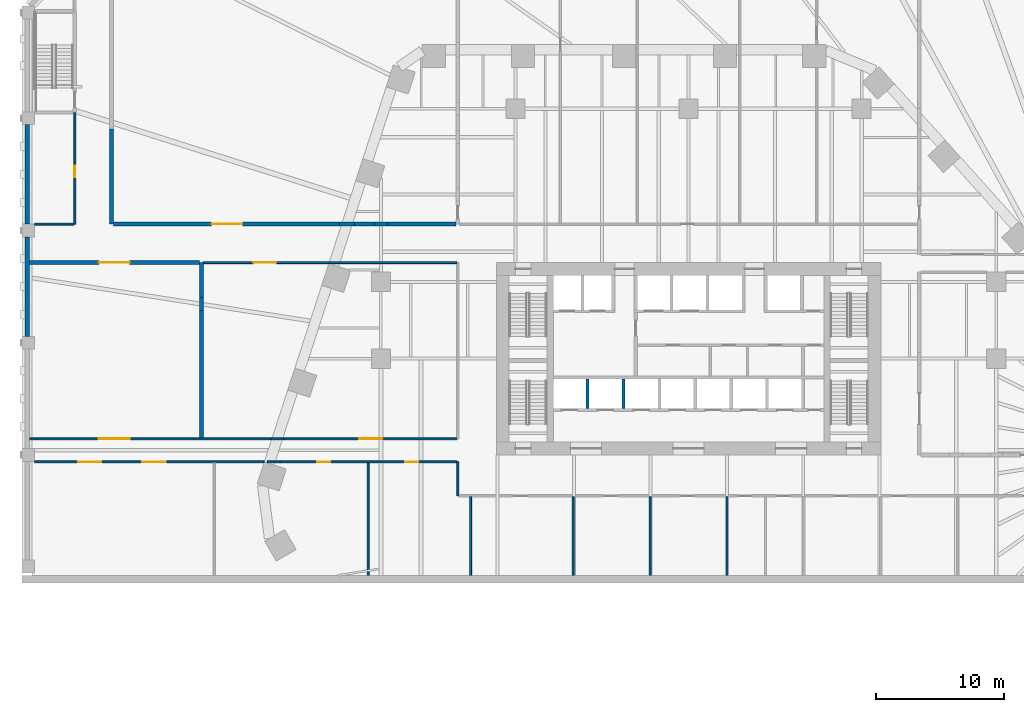
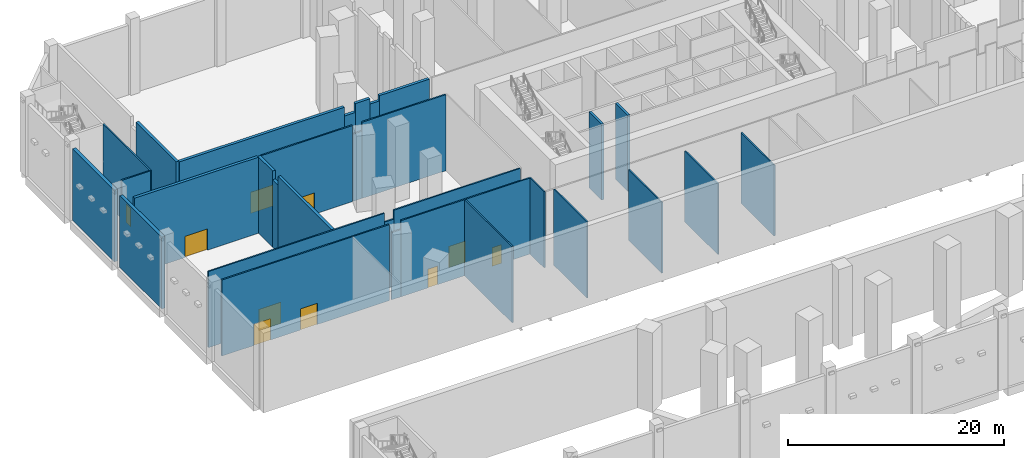
# One storey, part 6 of 23: 31 walls, 10 doors, 10 openings.
"""IFC4 building model written with IfcOpenShell, lengths in metres."""

from ifc_helpers import new_model, si_unit, direction, frame, frame_2d, origin, place, context, subcontext, project, spatial, rectangle, extrude, material, layer, layer_set, type_object, element, fill, save


model = new_model("IFC4")

# Units and contexts
model_context = context("Model", 3, precision=1e-05, world=origin(), true_north=direction((0.0, 1.0)))
body_context = subcontext(model_context, "Body", "Model", "MODEL_VIEW")
ifc_project = project(units=[si_unit("LENGTHUNIT", "METRE"), si_unit("AREAUNIT", "SQUARE_METRE"), si_unit("VOLUMEUNIT", "CUBIC_METRE"), si_unit("PLANEANGLEUNIT", "RADIAN"), si_unit("MASSUNIT", "GRAM", prefix="KILO")], contexts=[model_context])

# Site, building, storey
site_placement = place(None, origin())
site = spatial("IfcSite", under=ifc_project, at=site_placement, CompositionType="ELEMENT")
building_placement = place(site_placement, origin())
building = spatial("IfcBuilding", under=site, at=building_placement, Name="Isthmus Gate Tower", CompositionType="ELEMENT")
storey_placement = place(building_placement, frame((0.0, 0.0, 9.0)))
storey = spatial("IfcBuildingStorey", under=building, at=storey_placement, Name="L01", CompositionType="ELEMENT", Elevation=9.0)

# Wall, opening, door
ifc_material_1 = material(Name="Double-leaf gypsum board with mineral wool, resilient mounted")
ifc_layer_1 = layer(ifc_material_1, 0.300048828125)
ifc_layer_set_1 = layer_set([ifc_layer_1], Name="Acoustic studio wall 300 double leaf")
wall_type_1 = type_object("IfcWallType", Name="Acoustic studio wall 300 double leaf", PredefinedType="PARTITIONING", material=ifc_layer_set_1)
wall_1_placement = place(storey_placement, frame((-51.39990234375, 15.0, 0.0), z_axis=(0.0, 0.0, 1.0), x_axis=(1.0, 0.0, 0.0)))
wall_1 = element("IfcWall", 1, at=wall_1_placement, inside=storey, type_object=wall_type_1, Name="Acoustic studio wall", PredefinedType="PARTITIONING", context=body_context, shape_type="SweptSolid", body=[
    extrude(rectangle(XDim=13.25, YDim=0.300048828125, at=frame_2d((6.625, 0.0))), origin(), (0.0, 0.0, 1.0), 8.60009765625),
])
opening_1_placement = place(wall_1_placement, frame((5.39990234375, 0.0, 0.0)))
opening_1 = element("IfcOpeningElement", 2, at=opening_1_placement, cuts=wall_1, Name="Opening DP01-29", PredefinedType="OPENING", context=body_context, shape_type="SweptSolid", body=[
    extrude(rectangle(XDim=2.39990234375, YDim=2.39990234375, at=frame_2d((1.199951171875, 1.199951171875))), frame((0.0, 0.159912109375, 0.0), z_axis=(0.0, -1.0, 0.0), x_axis=(1.0, 0.0, 0.0)), (0.0, 0.0, 1.0), 0.320068359375),
])
ifc_material_2 = material(Name="Hollow metal frame with solid-core timber leaves", Category="wood")
door_type_1 = type_object("IfcDoorType", Name="Double swing door 2400 x 2400", OperationType="DOUBLE_DOOR_SINGLE_SWING", PredefinedType="DOOR", material=ifc_material_2)
door_1_placement = place(opening_1_placement, origin())
door_1 = element("IfcDoor", 3, at=door_1_placement, inside=storey, type_object=door_type_1, Name="Door DP01-29", OperationType="SINGLE_SWING_LEFT", OverallHeight=2.39990234375, OverallWidth=2.39990234375, PredefinedType="DOOR", context=body_context, shape_type="SweptSolid", body=[
    extrude(rectangle(XDim=2.39990234375, YDim=2.39990234375, at=frame_2d((1.199951171875, 1.199951171875))), frame((0.0, 0.02490234375, 0.0), z_axis=(0.0, -1.0, 0.0), x_axis=(1.0, 0.0, 0.0)), (0.0, 0.0, 1.0), 0.050048828125),
])
fill(opening_1, door_1)

wall_2_placement = place(storey_placement, frame((-44.85009765625, 18.0, 0.0), z_axis=(0.0, 0.0, 1.0), x_axis=(1.0, 0.0, 0.0)))
wall_2 = element("IfcWall", 4, at=wall_2_placement, inside=storey, type_object=wall_type_1, Name="Acoustic studio wall", PredefinedType="PARTITIONING", context=body_context, shape_type="SweptSolid", body=[
    extrude(rectangle(XDim=17.62939453125, YDim=0.300048828125, at=frame_2d((8.814697265625, 0.0))), origin(), (0.0, 0.0, 1.0), 8.60009765625),
])
opening_2_placement = place(wall_2_placement, frame((7.64990234375, 0.0, 0.0)))
opening_2 = element("IfcOpeningElement", 5, at=opening_2_placement, cuts=wall_2, Name="Opening DP01-25", PredefinedType="OPENING", context=body_context, shape_type="SweptSolid", body=[
    extrude(rectangle(XDim=2.39990234375, YDim=2.39990234375, at=frame_2d((1.199951171875, 1.199951171875))), frame((0.0, 0.159912109375, 0.0), z_axis=(0.0, -1.0, 0.0), x_axis=(1.0, 0.0, 0.0)), (0.0, 0.0, 1.0), 0.320068359375),
])
door_2_placement = place(opening_2_placement, origin())
door_2 = element("IfcDoor", 6, at=door_2_placement, inside=storey, type_object=door_type_1, Name="Door DP01-25", OperationType="SINGLE_SWING_LEFT", OverallHeight=2.39990234375, OverallWidth=2.39990234375, PredefinedType="DOOR", context=body_context, shape_type="SweptSolid", body=[
    extrude(rectangle(XDim=2.39990234375, YDim=2.39990234375, at=frame_2d((1.199951171875, 1.199951171875))), frame((0.0, 0.02490234375, 0.0), z_axis=(0.0, -1.0, 0.0), x_axis=(1.0, 0.0, 0.0)), (0.0, 0.0, 1.0), 0.050048828125),
])
fill(opening_2, door_2)

# Walls
wall_3_placement = place(storey_placement, frame((-27.220703125, 18.0, 0.0), z_axis=(0.0, 0.0, 1.0), x_axis=(1.0, 0.0, 0.0)))
element("IfcWall", 7, at=wall_3_placement, inside=storey, type_object=wall_type_1, Name="Acoustic studio wall", PredefinedType="PARTITIONING", context=body_context, shape_type="SweptSolid", body=[
    extrude(rectangle(XDim=1.156494140625, YDim=0.300048828125, at=frame_2d((0.578125, 0.0))), origin(), (0.0, 0.0, 1.0), 7.60009765625),
])
wall_4_placement = place(storey_placement, frame((-26.064208984375, 18.0, 0.0), z_axis=(0.0, 0.0, 1.0), x_axis=(1.0, 0.0, 0.0)))
element("IfcWall", 8, at=wall_4_placement, inside=storey, type_object=wall_type_1, Name="Acoustic studio wall", PredefinedType="PARTITIONING", context=body_context, shape_type="SweptSolid", body=[
    extrude(rectangle(XDim=1.564208984375, YDim=0.300048828125, at=frame_2d((0.7822265625, 0.0))), origin(), (0.0, 0.0, 1.0), 8.60009765625),
])
wall_5_placement = place(storey_placement, frame((-24.5, 18.0, 0.0), z_axis=(0.0, 0.0, 1.0), x_axis=(1.0, 0.0, 0.0)))
element("IfcWall", 9, at=wall_5_placement, inside=storey, type_object=wall_type_1, Name="Acoustic studio wall", PredefinedType="PARTITIONING", context=body_context, shape_type="SweptSolid", body=[
    extrude(rectangle(XDim=1.0, YDim=0.300048828125, at=frame_2d((0.5, 0.0))), origin(), (0.0, 0.0, 1.0), 7.996826171875),
])
wall_6_placement = place(storey_placement, frame((-23.5, 18.0, 0.0), z_axis=(0.0, 0.0, 1.0), x_axis=(1.0, 0.0, 0.0)))
element("IfcWall", 10, at=wall_6_placement, inside=storey, type_object=wall_type_1, Name="Acoustic studio wall", PredefinedType="PARTITIONING", context=body_context, shape_type="SweptSolid", body=[
    extrude(rectangle(XDim=5.35009765625, YDim=0.300048828125, at=frame_2d((2.675048828125, 0.0))), origin(), (0.0, 0.0, 1.0), 8.60009765625),
])
wall_7_placement = place(storey_placement, frame((-45.0, 18.0, 0.0), z_axis=(0.0, 0.0, 1.0), x_axis=(0.0, 1.0, 0.0)))
element("IfcWall", 11, at=wall_7_placement, inside=storey, type_object=wall_type_1, Name="Acoustic studio wall", PredefinedType="PARTITIONING", context=body_context, shape_type="SweptSolid", body=[
    extrude(rectangle(XDim=7.430908203125, YDim=0.300048828125, at=frame_2d((3.71533203125, 0.0))), origin(), (0.0, 0.0, 1.0), 8.60009765625),
])
wall_8_placement = place(storey_placement, frame((-38.0, 1.325927734375, 0.0), z_axis=(0.0, 0.0, 1.0), x_axis=(0.0, 1.0, 0.0)))
element("IfcWall", 12, at=wall_8_placement, inside=storey, type_object=wall_type_1, Name="Acoustic studio wall", PredefinedType="PARTITIONING", context=body_context, shape_type="SweptSolid", body=[
    extrude(rectangle(XDim=9.931884765625, YDim=0.300048828125, at=frame_2d((4.9658203125, 0.0))), origin(), (0.0, 0.0, 1.0), 8.60009765625),
])
wall_9_placement = place(storey_placement, frame((-38.0, 11.2578125, 0.0), z_axis=(0.0, 0.0, 1.0), x_axis=(0.0, 1.0, 0.0)))
element("IfcWall", 13, at=wall_9_placement, inside=storey, type_object=wall_type_1, Name="Acoustic studio wall", PredefinedType="PARTITIONING", context=body_context, shape_type="SweptSolid", body=[
    extrude(rectangle(XDim=1.0, YDim=0.300048828125, at=frame_2d((0.5, 0.0))), origin(), (0.0, 0.0, 1.0), 7.618896484375),
])
wall_10_placement = place(storey_placement, frame((-38.0, 12.2578125, 0.0), z_axis=(0.0, 0.0, 1.0), x_axis=(0.0, 1.0, 0.0)))
element("IfcWall", 14, at=wall_10_placement, inside=storey, type_object=wall_type_1, Name="Acoustic studio wall", PredefinedType="PARTITIONING", context=body_context, shape_type="SweptSolid", body=[
    extrude(rectangle(XDim=2.7421875, YDim=0.300048828125, at=frame_2d((1.37109375, 0.0))), origin(), (0.0, 0.0, 1.0), 8.60009765625),
])

# Wall, opening, door
ifc_material_3 = material(Name="Fire-rated gypsum board on steel studs", Category="steel")
ifc_layer_2 = layer(ifc_material_3, 0.14990234375)
ifc_layer_set_2 = layer_set([ifc_layer_2], Name="Fire-rated partition 150 EI 60")
wall_type_2 = type_object("IfcWallType", Name="Fire-rated partition 150 EI 60", PredefinedType="PARTITIONING", material=ifc_layer_set_2)
wall_11_placement = place(storey_placement, frame((-47.875, 18.0, 0.0), z_axis=(0.0, 0.0, 1.0), x_axis=(0.0, 1.0, 0.0)))
wall_11 = element("IfcWall", 15, at=wall_11_placement, inside=storey, type_object=wall_type_2, Name="Fire-rated partition", PredefinedType="PARTITIONING", context=body_context, shape_type="SweptSolid", body=[
    extrude(rectangle(XDim=8.699951171875, YDim=0.14990234375, at=frame_2d((4.35009765625, 0.0))), origin(), (0.0, 0.0, 1.0), 8.60009765625),
])
opening_3_placement = place(wall_11_placement, frame((3.64990234375, 0.0, 0.0)))
opening_3 = element("IfcOpeningElement", 16, at=opening_3_placement, cuts=wall_11, Name="Opening DP01-02", PredefinedType="OPENING", context=body_context, shape_type="SweptSolid", body=[
    extrude(rectangle(XDim=0.89990234375, YDim=2.10009765625, at=frame_2d((0.449951171875, 1.050048828125))), frame((0.0, 0.0849609375, 0.0), z_axis=(0.0, -1.0, 0.0), x_axis=(1.0, 0.0, 0.0)), (0.0, 0.0, 1.0), 0.169921875),
])
ifc_material_4 = material(Name="Steel fire door with intumescent seals", Category="steel")
door_type_2 = type_object("IfcDoorType", Name="Fire door 900 x 2100", OperationType="SINGLE_SWING_LEFT", PredefinedType="DOOR", material=ifc_material_4)
door_3_placement = place(opening_3_placement, origin())
door_3 = element("IfcDoor", 17, at=door_3_placement, inside=storey, type_object=door_type_2, Name="Door DP01-02", OperationType="SINGLE_SWING_LEFT", OverallHeight=2.10009765625, OverallWidth=0.89990234375, PredefinedType="DOOR", context=body_context, shape_type="SweptSolid", body=[
    extrude(rectangle(XDim=0.89990234375, YDim=2.10009765625, at=frame_2d((0.449951171875, 1.050048828125))), frame((0.0, 0.02490234375, 0.0), z_axis=(0.0, -1.0, 0.0), x_axis=(1.0, 0.0, 0.0)), (0.0, 0.0, 1.0), 0.050048828125),
])
fill(opening_3, door_3)

# Walls
ifc_material_5 = material(Name="Precast concrete C40/50, limestone-faced", Category="masonry")
ifc_layer_3 = layer(ifc_material_5, 0.35009765625)
ifc_layer_set_3 = layer_set([ifc_layer_3], Name="PODIUM CLADDING WALL 350")
wall_type_3 = type_object("IfcWallType", Name="PODIUM CLADDING WALL 350", PredefinedType="SOLIDWALL", material=ifc_layer_set_3)
for number, where, z_axis, x_axis, name in (
    (18, (-51.574951171875, 25.75, -0.39990234375), (0.0, 0.0, 1.0), (0.0, -1.0, 0.0), "PODIUM WALL"),
    (19, (-51.574951171875, 17.0, -0.39990234375), (0.0, 0.0, 1.0), (0.0, -1.0, 0.0), "PODIUM WALL"),
):
    element("IfcWall", number, at=place(storey_placement, frame(where, z_axis=z_axis, x_axis=x_axis)), inside=storey, type_object=wall_type_3, Name=name, PredefinedType="SOLIDWALL", context=body_context, shape_type="SweptSolid", body=[
        extrude(rectangle(XDim=7.75, YDim=0.35009765625, at=frame_2d((3.875, 0.0))), origin(), (0.0, 0.0, 1.0), 8.099853515625),
    ])

# Wall, openings, doors
ifc_material_6 = material(Name="Gypsum board on cold-formed steel studs", Category="steel")
ifc_layer_4 = layer(ifc_material_6, 0.14990234375)
ifc_layer_set_4 = layer_set([ifc_layer_4])
wall_type_4 = type_object("IfcWallType", Name="Partition 150 gypsum board on steel studs", PredefinedType="PARTITIONING", material=ifc_layer_set_4)
wall_12_placement = place(storey_placement, frame((-51.0, -0.549072265625, 0.0), z_axis=(0.0, 0.0, 1.0), x_axis=(1.0, 0.0, 0.0)))
wall_12 = element("IfcWall", 20, at=wall_12_placement, inside=storey, type_object=wall_type_4, Name="Partition", PredefinedType="PARTITIONING", context=body_context, shape_type="SweptSolid", body=[
    extrude(rectangle(XDim=17.8857421875, YDim=0.14990234375, at=frame_2d((8.94287109375, 0.0))), origin(), (0.0, 0.0, 1.0), 8.60009765625),
])
opening_4_placement = place(wall_12_placement, frame((3.39990234375, 0.0, 0.0)))
opening_4 = element("IfcOpeningElement", 21, at=opening_4_placement, cuts=wall_12, Name="Opening DP01-11", PredefinedType="OPENING", context=body_context, shape_type="SweptSolid", body=[
    extrude(rectangle(XDim=1.800048828125, YDim=2.39990234375, at=frame_2d((0.89990234375, 1.199951171875))), frame((0.0, 0.0849609375, 0.0), z_axis=(0.0, -1.0, 0.0), x_axis=(1.0, 0.0, 0.0)), (0.0, 0.0, 1.0), 0.169921875),
])
opening_5_placement = place(wall_12_placement, frame((8.39990234375, 0.0, 0.0)))
opening_5 = element("IfcOpeningElement", 22, at=opening_5_placement, cuts=wall_12, Name="Opening DP01-12", PredefinedType="OPENING", context=body_context, shape_type="SweptSolid", body=[
    extrude(rectangle(XDim=1.800048828125, YDim=2.39990234375, at=frame_2d((0.89990234375, 1.199951171875))), frame((0.0, 0.0849609375, 0.0), z_axis=(0.0, -1.0, 0.0), x_axis=(1.0, 0.0, 0.0)), (0.0, 0.0, 1.0), 0.169921875),
])
ifc_material_7 = material(Name="Hollow metal frame with solid-core timber leaves", Category="wood")
door_type_3 = type_object("IfcDoorType", Name="Double swing door 1800 x 2400", OperationType="DOUBLE_DOOR_SINGLE_SWING", PredefinedType="DOOR", material=ifc_material_7)
door_4_placement = place(opening_4_placement, origin())
door_4 = element("IfcDoor", 23, at=door_4_placement, inside=storey, type_object=door_type_3, Name="Door DP01-11", OperationType="SINGLE_SWING_LEFT", OverallHeight=2.39990234375, OverallWidth=1.800048828125, PredefinedType="DOOR", context=body_context, shape_type="SweptSolid", body=[
    extrude(rectangle(XDim=1.800048828125, YDim=2.39990234375, at=frame_2d((0.89990234375, 1.199951171875))), frame((0.0, 0.02490234375, 0.0), z_axis=(0.0, -1.0, 0.0), x_axis=(1.0, 0.0, 0.0)), (0.0, 0.0, 1.0), 0.050048828125),
])
fill(opening_4, door_4)
door_5_placement = place(opening_5_placement, origin())
door_5 = element("IfcDoor", 24, at=door_5_placement, inside=storey, type_object=door_type_3, Name="Door DP01-12", OperationType="SINGLE_SWING_LEFT", OverallHeight=2.39990234375, OverallWidth=1.800048828125, PredefinedType="DOOR", context=body_context, shape_type="SweptSolid", body=[
    extrude(rectangle(XDim=1.800048828125, YDim=2.39990234375, at=frame_2d((0.89990234375, 1.199951171875))), frame((0.0, 0.02490234375, 0.0), z_axis=(0.0, -1.0, 0.0), x_axis=(1.0, 0.0, 0.0)), (0.0, 0.0, 1.0), 0.050048828125),
])
fill(opening_5, door_5)

# Wall
wall_13_placement = place(storey_placement, frame((-32.85888671875, -0.549072265625, 0.0), z_axis=(0.0, 0.0, 1.0), x_axis=(1.0, 0.0, 0.0)))
element("IfcWall", 25, at=wall_13_placement, inside=storey, type_object=wall_type_4, Name="Partition", PredefinedType="PARTITIONING", context=body_context, shape_type="SweptSolid", body=[
    extrude(rectangle(XDim=1.0, YDim=0.14990234375, at=frame_2d((0.5, 0.0))), origin(), (0.0, 0.0, 1.0), 7.60009765625),
])

# Wall, openings, doors
wall_14_placement = place(storey_placement, frame((-31.85888671875, -0.549072265625, 0.0), z_axis=(0.0, 0.0, 1.0), x_axis=(1.0, 0.0, 0.0)))
wall_14 = element("IfcWall", 26, at=wall_14_placement, inside=storey, type_object=wall_type_4, Name="Partition", PredefinedType="PARTITIONING", context=body_context, shape_type="SweptSolid", body=[
    extrude(rectangle(XDim=13.783935546875, YDim=0.14990234375, at=frame_2d((6.89208984375, 0.0))), origin(), (0.0, 0.0, 1.0), 8.60009765625),
])
opening_6_placement = place(wall_14_placement, frame((2.89990234375, 0.0, 0.0)))
opening_6 = element("IfcOpeningElement", 27, at=opening_6_placement, cuts=wall_14, Name="Opening DP01-13", PredefinedType="OPENING", context=body_context, shape_type="SweptSolid", body=[
    extrude(rectangle(XDim=1.0, YDim=2.10009765625, at=frame_2d((0.5, 1.050048828125))), frame((0.0, 0.0849609375, 0.0), z_axis=(0.0, -1.0, 0.0), x_axis=(1.0, 0.0, 0.0)), (0.0, 0.0, 1.0), 0.169921875),
])
opening_7_placement = place(wall_14_placement, frame((9.7587890625, 0.0, 0.0)))
opening_7 = element("IfcOpeningElement", 28, at=opening_7_placement, cuts=wall_14, Name="Opening DP01-14", PredefinedType="OPENING", context=body_context, shape_type="SweptSolid", body=[
    extrude(rectangle(XDim=1.0, YDim=2.10009765625, at=frame_2d((0.5, 1.050048828125))), frame((0.0, 0.0849609375, 0.0), z_axis=(0.0, -1.0, 0.0), x_axis=(1.0, 0.0, 0.0)), (0.0, 0.0, 1.0), 0.169921875),
])
ifc_material_8 = material(Name="Hollow metal frame with solid-core timber leaf", Category="wood")
door_type_4 = type_object("IfcDoorType", Name="Single swing door 1000 x 2100", OperationType="SINGLE_SWING_LEFT", PredefinedType="DOOR", material=ifc_material_8)
door_6_placement = place(opening_6_placement, origin())
door_6 = element("IfcDoor", 29, at=door_6_placement, inside=storey, type_object=door_type_4, Name="Door DP01-13", OperationType="SINGLE_SWING_LEFT", OverallHeight=2.10009765625, OverallWidth=1.0, PredefinedType="DOOR", context=body_context, shape_type="SweptSolid", body=[
    extrude(rectangle(XDim=1.0, YDim=2.10009765625, at=frame_2d((0.5, 1.050048828125))), frame((0.0, 0.02490234375, 0.0), z_axis=(0.0, -1.0, 0.0), x_axis=(1.0, 0.0, 0.0)), (0.0, 0.0, 1.0), 0.050048828125),
])
fill(opening_6, door_6)
door_7_placement = place(opening_7_placement, origin())
door_7 = element("IfcDoor", 30, at=door_7_placement, inside=storey, type_object=door_type_4, Name="Door DP01-14", OperationType="SINGLE_SWING_LEFT", OverallHeight=2.10009765625, OverallWidth=1.0, PredefinedType="DOOR", context=body_context, shape_type="SweptSolid", body=[
    extrude(rectangle(XDim=1.0, YDim=2.10009765625, at=frame_2d((0.5, 1.050048828125))), frame((0.0, 0.02490234375, 0.0), z_axis=(0.0, -1.0, 0.0), x_axis=(1.0, 0.0, 0.0)), (0.0, 0.0, 1.0), 0.050048828125),
])
fill(opening_7, door_7)

# Wall, opening, door
wall_15_placement = place(storey_placement, frame((-51.39990234375, 1.2509765625, 0.0), z_axis=(0.0, 0.0, 1.0), x_axis=(1.0, 0.0, 0.0)))
wall_15 = element("IfcWall", 31, at=wall_15_placement, inside=storey, type_object=wall_type_4, Name="Partition", PredefinedType="PARTITIONING", context=body_context, shape_type="SweptSolid", body=[
    extrude(rectangle(XDim=18.8154296875, YDim=0.14990234375, at=frame_2d((9.40771484375, 0.0))), origin(), (0.0, 0.0, 1.0), 8.60009765625),
])
opening_8_placement = place(wall_15_placement, frame((5.39990234375, 0.0, 0.0)))
opening_8 = element("IfcOpeningElement", 32, at=opening_8_placement, cuts=wall_15, Name="Opening DP01-28", PredefinedType="OPENING", context=body_context, shape_type="SweptSolid", body=[
    extrude(rectangle(XDim=2.39990234375, YDim=2.39990234375, at=frame_2d((1.199951171875, 1.199951171875))), frame((0.0, 0.0849609375, 0.0), z_axis=(0.0, -1.0, 0.0), x_axis=(1.0, 0.0, 0.0)), (0.0, 0.0, 1.0), 0.169921875),
])
door_8_placement = place(opening_8_placement, origin())
door_8 = element("IfcDoor", 33, at=door_8_placement, inside=storey, type_object=door_type_1, Name="Door DP01-28", OperationType="SINGLE_SWING_LEFT", OverallHeight=2.39990234375, OverallWidth=2.39990234375, PredefinedType="DOOR", context=body_context, shape_type="SweptSolid", body=[
    extrude(rectangle(XDim=2.39990234375, YDim=2.39990234375, at=frame_2d((1.199951171875, 1.199951171875))), frame((0.0, 0.02490234375, 0.0), z_axis=(0.0, -1.0, 0.0), x_axis=(1.0, 0.0, 0.0)), (0.0, 0.0, 1.0), 0.050048828125),
])
fill(opening_8, door_8)

# Wall
wall_16_placement = place(storey_placement, frame((-32.58447265625, 1.2509765625, 0.0), z_axis=(0.0, 0.0, 1.0), x_axis=(1.0, 0.0, 0.0)))
element("IfcWall", 34, at=wall_16_placement, inside=storey, type_object=wall_type_4, Name="Partition", PredefinedType="PARTITIONING", context=body_context, shape_type="SweptSolid", body=[
    extrude(rectangle(XDim=1.0, YDim=0.14990234375, at=frame_2d((0.5, 0.0))), origin(), (0.0, 0.0, 1.0), 7.60009765625),
])

# Wall, opening, door
wall_17_placement = place(storey_placement, frame((-31.58447265625, 1.2509765625, 0.0), z_axis=(0.0, 0.0, 1.0), x_axis=(1.0, 0.0, 0.0)))
wall_17 = element("IfcWall", 35, at=wall_17_placement, inside=storey, type_object=wall_type_4, Name="Partition", PredefinedType="PARTITIONING", context=body_context, shape_type="SweptSolid", body=[
    extrude(rectangle(XDim=13.509521484375, YDim=0.14990234375, at=frame_2d((6.7548828125, 0.0))), origin(), (0.0, 0.0, 1.0), 8.60009765625),
])
opening_9_placement = place(wall_17_placement, frame((5.89990234375, 0.0, 0.0)))
opening_9 = element("IfcOpeningElement", 36, at=opening_9_placement, cuts=wall_17, Name="Opening DP01-30", PredefinedType="OPENING", context=body_context, shape_type="SweptSolid", body=[
    extrude(rectangle(XDim=1.800048828125, YDim=2.39990234375, at=frame_2d((0.89990234375, 1.199951171875))), frame((0.0, 0.0849609375, 0.0), z_axis=(0.0, -1.0, 0.0), x_axis=(1.0, 0.0, 0.0)), (0.0, 0.0, 1.0), 0.169921875),
])
door_9_placement = place(opening_9_placement, origin())
door_9 = element("IfcDoor", 37, at=door_9_placement, inside=storey, type_object=door_type_3, Name="Door DP01-30", OperationType="SINGLE_SWING_LEFT", OverallHeight=2.39990234375, OverallWidth=1.800048828125, PredefinedType="DOOR", context=body_context, shape_type="SweptSolid", body=[
    extrude(rectangle(XDim=1.800048828125, YDim=2.39990234375, at=frame_2d((0.89990234375, 1.199951171875))), frame((0.0, 0.02490234375, 0.0), z_axis=(0.0, -1.0, 0.0), x_axis=(1.0, 0.0, 0.0)), (0.0, 0.0, 1.0), 0.050048828125),
])
fill(opening_9, door_9)

wall_18_placement = place(storey_placement, frame((-37.85009765625, 15.0, 0.0), z_axis=(0.0, 0.0, 1.0), x_axis=(1.0, 0.0, 0.0)))
wall_18 = element("IfcWall", 38, at=wall_18_placement, inside=storey, type_object=wall_type_4, Name="Partition", PredefinedType="PARTITIONING", context=body_context, shape_type="SweptSolid", body=[
    extrude(rectangle(XDim=9.7880859375, YDim=0.14990234375, at=frame_2d((4.89404296875, 0.0))), origin(), (0.0, 0.0, 1.0), 8.60009765625),
])
opening_10_placement = place(wall_18_placement, frame((3.89990234375, 0.0, 0.0)))
opening_10 = element("IfcOpeningElement", 39, at=opening_10_placement, cuts=wall_18, Name="Opening DP01-31", PredefinedType="OPENING", context=body_context, shape_type="SweptSolid", body=[
    extrude(rectangle(XDim=1.800048828125, YDim=2.39990234375, at=frame_2d((0.89990234375, 1.199951171875))), frame((0.0, 0.0849609375, 0.0), z_axis=(0.0, -1.0, 0.0), x_axis=(1.0, 0.0, 0.0)), (0.0, 0.0, 1.0), 0.169921875),
])
door_10_placement = place(opening_10_placement, origin())
door_10 = element("IfcDoor", 40, at=door_10_placement, inside=storey, type_object=door_type_3, Name="Door DP01-31", OperationType="SINGLE_SWING_LEFT", OverallHeight=2.39990234375, OverallWidth=1.800048828125, PredefinedType="DOOR", context=body_context, shape_type="SweptSolid", body=[
    extrude(rectangle(XDim=1.800048828125, YDim=2.39990234375, at=frame_2d((0.89990234375, 1.199951171875))), frame((0.0, 0.02490234375, 0.0), z_axis=(0.0, -1.0, 0.0), x_axis=(1.0, 0.0, 0.0)), (0.0, 0.0, 1.0), 0.050048828125),
])
fill(opening_10, door_10)

# Walls
wall_19_placement = place(storey_placement, frame((-28.034912109375, 15.0, 0.0), z_axis=(0.0, 0.0, 1.0), x_axis=(1.0, 0.0, 0.0)))
element("IfcWall", 41, at=wall_19_placement, inside=storey, type_object=wall_type_4, Name="Partition", PredefinedType="PARTITIONING", context=body_context, shape_type="SweptSolid", body=[
    extrude(rectangle(XDim=1.0, YDim=0.14990234375, at=frame_2d((0.5, 0.0))), origin(), (0.0, 0.0, 1.0), 7.60009765625),
])
wall_20_placement = place(storey_placement, frame((-27.034912109375, 15.0, 0.0), z_axis=(0.0, 0.0, 1.0), x_axis=(1.0, 0.0, 0.0)))
element("IfcWall", 42, at=wall_20_placement, inside=storey, type_object=wall_type_4, Name="Partition", PredefinedType="PARTITIONING", context=body_context, shape_type="SweptSolid", body=[
    extrude(rectangle(XDim=8.9599609375, YDim=0.14990234375, at=frame_2d((4.47998046875, 0.0))), origin(), (0.0, 0.0, 1.0), 8.60009765625),
])
wall_21_placement = place(storey_placement, frame((-51.0, 18.0, 0.0), z_axis=(0.0, 0.0, 1.0), x_axis=(1.0, 0.0, 0.0)))
element("IfcWall", 43, at=wall_21_placement, inside=storey, type_object=wall_type_4, Name="Partition", PredefinedType="PARTITIONING", context=body_context, shape_type="SweptSolid", body=[
    extrude(rectangle(XDim=3.050048828125, YDim=0.14990234375, at=frame_2d((1.52490234375, 0.0))), origin(), (0.0, 0.0, 1.0), 8.60009765625),
])
wall_22_placement = place(storey_placement, frame((-25.0, -9.39990234375, 0.0), z_axis=(0.0, 0.0, 1.0), x_axis=(0.0, 1.0, 0.0)))
element("IfcWall", 44, at=wall_22_placement, inside=storey, type_object=wall_type_4, Name="Partition", PredefinedType="PARTITIONING", context=body_context, shape_type="SweptSolid", body=[
    extrude(rectangle(XDim=8.77587890625, YDim=0.14990234375, at=frame_2d((4.387939453125, 0.0))), origin(), (0.0, 0.0, 1.0), 8.60009765625),
])
wall_23_placement = place(storey_placement, frame((-18.0, -3.199951171875, 0.0), z_axis=(0.0, 0.0, 1.0), x_axis=(0.0, 1.0, 0.0)))
element("IfcWall", 45, at=wall_23_placement, inside=storey, type_object=wall_type_4, Name="Partition", PredefinedType="PARTITIONING", context=body_context, shape_type="SweptSolid", body=[
    extrude(rectangle(XDim=2.651123046875, YDim=0.14990234375, at=frame_2d((1.32568359375, 0.0))), origin(), (0.0, 0.0, 1.0), 8.60009765625),
])
wall_24_placement = place(storey_placement, frame((-17.0, -9.39990234375, 0.0), z_axis=(0.0, 0.0, 1.0), x_axis=(0.0, 1.0, 0.0)))
element("IfcWall", 46, at=wall_24_placement, inside=storey, type_object=wall_type_4, Name="Partition", PredefinedType="PARTITIONING", context=body_context, shape_type="SweptSolid", body=[
    extrude(rectangle(XDim=6.125, YDim=0.14990234375, at=frame_2d((3.0625, 0.0))), origin(), (0.0, 0.0, 1.0), 8.60009765625),
])
for number, where, z_axis, x_axis, name in (
    (47, (-9.0, -9.39990234375, 0.0), (0.0, 0.0, 1.0), (0.0, 1.0, 0.0), "Partition"),
    (48, (-3.0, -9.39990234375, 0.0), (0.0, 0.0, 1.0), (0.0, 1.0, 0.0), "Partition"),
    (49, (3.0, -9.39990234375, 0.0), (0.0, 0.0, 1.0), (0.0, 1.0, 0.0), "Partition"),
):
    element("IfcWall", number, at=place(storey_placement, frame(where, z_axis=z_axis, x_axis=x_axis)), inside=storey, type_object=wall_type_4, Name=name, PredefinedType="PARTITIONING", context=body_context, shape_type="SweptSolid", body=[
        extrude(rectangle(XDim=6.125, YDim=0.14990234375, at=frame_2d((3.0625, 0.0))), origin(), (0.0, 0.0, 1.0), 7.996826171875),
    ])
ifc_material_9 = material(Name="Fire-rated blockwork masonry, 15 MPa", Category="masonry")
ifc_layer_5 = layer(ifc_material_9, 0.25)
ifc_layer_set_5 = layer_set([ifc_layer_5], Name="SHAFT WALL 250 120 MIN")
wall_type_5 = type_object("IfcWallType", Name="SHAFT WALL 250 120 MIN", PredefinedType="PARTITIONING", material=ifc_layer_set_5)
for number, where, z_axis, x_axis, name in (
    (50, (-7.875, 3.60009765625, 0.0), (0.0, 0.0, 1.0), (0.0, 1.0, 0.0), "L01 SHAFT WALL 250 120 MIN"),
    (51, (-5.074951171875, 3.60009765625, 0.0), (0.0, 0.0, 1.0), (0.0, 1.0, 0.0), "L01 SHAFT WALL 250 120 MIN"),
):
    element("IfcWall", number, at=place(storey_placement, frame(where, z_axis=z_axis, x_axis=x_axis)), inside=storey, type_object=wall_type_5, Name=name, PredefinedType="PARTITIONING", context=body_context, shape_type="SweptSolid", body=[
        extrude(rectangle(XDim=2.2998046875, YDim=0.25, at=frame_2d((1.14990234375, 0.0))), origin(), (0.0, 0.0, 1.0), 8.60009765625),
    ])

save(model, "model.ifc")
